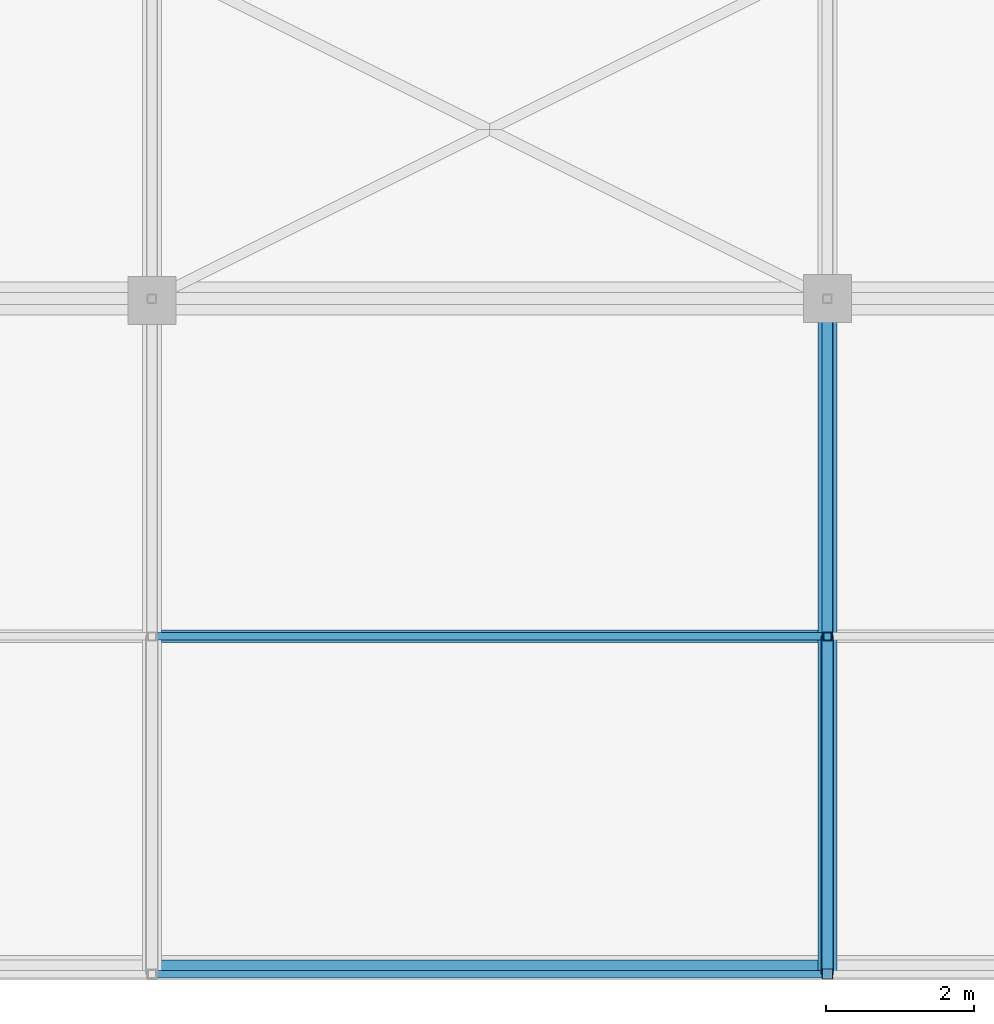
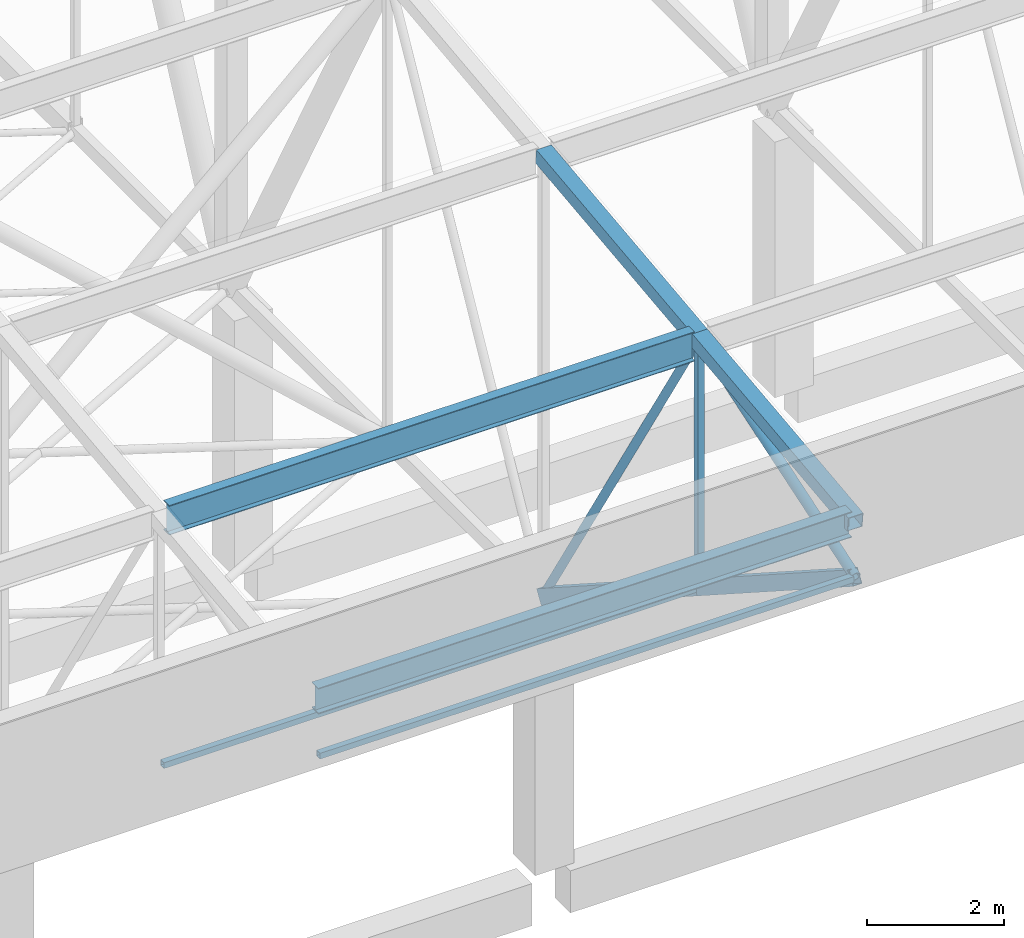
# One storey, part 33 of 500: 11 members.
"""IFC4 building model written with IfcOpenShell, lengths in metres."""

import ifcopenshell
import ifcopenshell.guid

model = None  # the IFC model being written
_history = None  # IfcOwnerHistory: only IFC2X3 demands one
_inside = {}  # id of a spatial element -> (the spatial element, [elements in it])
_under = {}  # id of a project, library or spatial element -> (it, [spatial elements below it])
_declared = {}  # id of a project -> (the project, [libraries it declares])
_typed = {}  # id of a type object -> (the type object, [elements of that type])
_made_of = {}  # id of a material, layer set ... -> (it, [elements and type objects made of it])


def new_model(schema):
    """Start an empty IFC model of exactly this schema.

    Asked for "IFC4X3", IfcOpenShell would pick the latest addendum, in which some entities
    have other attributes; the version numbers below select the first issue.
    IFC2X3 requires an IfcOwnerHistory on every rooted entity: one is made here for all.
    """
    global model, _history
    if schema == "IFC4X3":
        model = ifcopenshell.file(schema_version=(4, 3, 0, 0))
    else:
        model = ifcopenshell.file(schema=schema)
    _inside.clear()
    _under.clear()
    _declared.clear()
    _typed.clear()
    _made_of.clear()
    _history = None
    if model.schema == "IFC2X3":
        org = make("IfcOrganization", Name="unknown")
        user = make(
            "IfcPersonAndOrganization",
            ThePerson=make("IfcPerson", FamilyName="unknown"),
            TheOrganization=org,
        )
        app = make(
            "IfcApplication",
            ApplicationDeveloper=org,
            Version="unknown",
            ApplicationFullName="unknown",
            ApplicationIdentifier="unknown",
        )
        _history = make(
            "IfcOwnerHistory",
            OwningUser=user,
            OwningApplication=app,
            ChangeAction="ADDED",
            CreationDate=0,
        )
    return model


def make(cls, **values):
    """One entity of the class cls with the attributes given. An attribute that is None is left unset."""
    return model.create_entity(
        cls, **{name: value for name, value in values.items() if value is not None}
    )


def rooted(cls, **values):
    """An entity with a GlobalId (a new one), such as an element, a storey or a relation."""
    return make(cls, GlobalId=ifcopenshell.guid.new(), OwnerHistory=_history, **values)


def si_unit(unit_type, name, prefix=None):
    """IfcSIUnit, for example si_unit("LENGTHUNIT", "METRE", prefix="MILLI")."""
    return make("IfcSIUnit", UnitType=unit_type, Prefix=prefix, Name=name)


def assignment(units):
    """IfcUnitAssignment: the units of a project."""
    return None if units is None else make("IfcUnitAssignment", Units=units)


def point(xyz):
    """IfcCartesianPoint."""
    return None if xyz is None else make("IfcCartesianPoint", Coordinates=xyz)


def direction(xyz):
    """IfcDirection."""
    return None if xyz is None else make("IfcDirection", DirectionRatios=xyz)


def frame(location, z_axis=None, x_axis=None):
    """IfcAxis2Placement3D, a coordinate frame: its origin and axes. An axis left out is left unset."""
    return make(
        "IfcAxis2Placement3D",
        Location=point(location),
        Axis=direction(z_axis),
        RefDirection=direction(x_axis),
    )


def frame_2d(location, x_axis=None):
    """IfcAxis2Placement2D, a coordinate frame in the plane: its origin and x axis."""
    return make(
        "IfcAxis2Placement2D", Location=point(location), RefDirection=direction(x_axis)
    )


def origin():
    """The frame at (0, 0, 0) with its axes left unset."""
    return frame((0.0, 0.0, 0.0))


def origin_2d():
    """The frame at (0, 0) in the plane with its x axis left unset."""
    return frame_2d((0.0, 0.0))


def place(relative_to, where):
    """IfcLocalPlacement: puts the frame where relative to a parent placement (None: the world)."""
    return make(
        "IfcLocalPlacement", PlacementRelTo=relative_to, RelativePlacement=where
    )


def context(
    kind, dimensions, precision=None, world=None, true_north=None, identifier=None
):
    """IfcGeometricRepresentationContext, for example the 3D "Model" context."""
    return make(
        "IfcGeometricRepresentationContext",
        ContextIdentifier=identifier,
        ContextType=kind,
        CoordinateSpaceDimension=dimensions,
        Precision=precision,
        WorldCoordinateSystem=world,
        TrueNorth=true_north,
    )


def subcontext(parent, identifier, kind, view, scale=None):
    """IfcGeometricRepresentationSubContext, for example "Body" below "Model"."""
    return make(
        "IfcGeometricRepresentationSubContext",
        ContextIdentifier=identifier,
        ContextType=kind,
        ParentContext=parent,
        TargetScale=scale,
        TargetView=view,
    )


def project(units=None, contexts=None):
    """IfcProject with its units and contexts."""
    return rooted(
        "IfcProject",
        Name="project",
        RepresentationContexts=contexts,
        UnitsInContext=assignment(units),
    )


def spatial(cls, under=None, at=None, **own):
    """A site, building, storey or space (cls), placed at a placement, below another one or the project."""
    s = rooted(cls, ObjectPlacement=at, **own)
    if under is not None:
        _under.setdefault(under.id(), (under, []))[1].append(s)
    return s


def profile(cls, at=None, kind="AREA", **sizes):
    """A parametric profile (cls). Its sizes go by their IFC names, for example OverallWidth=200.0."""
    return make(cls, ProfileType=kind, Position=at, **sizes)


def hollow_rectangle(**sizes):
    """IfcRectangleHollowProfileDef."""
    return profile("IfcRectangleHollowProfileDef", **sizes)


def hollow_circle(**sizes):
    """IfcCircleHollowProfileDef."""
    return profile("IfcCircleHollowProfileDef", **sizes)


def i_section(**sizes):
    """IfcIShapeProfileDef."""
    return profile("IfcIShapeProfileDef", **sizes)


def extrude(swept, where, along, depth):
    """IfcExtrudedAreaSolid: the profile swept, set in the frame where, extruded along a direction by depth."""
    return make(
        "IfcExtrudedAreaSolid",
        SweptArea=swept,
        Position=where,
        ExtrudedDirection=direction(along),
        Depth=depth,
    )


def shape(context_of_items, identifier, shape_type, items):
    """IfcShapeRepresentation: the items that make up one representation, for example the "Body"."""
    return make(
        "IfcShapeRepresentation",
        ContextOfItems=context_of_items,
        RepresentationIdentifier=identifier,
        RepresentationType=shape_type,
        Items=items,
    )


def material(Name=None, Category=None):
    """IfcMaterial."""
    return make("IfcMaterial", Name=Name, Category=Category)


def material_profile(
    of_material, cross_section, Name=None, Category=None, Priority=None
):
    """IfcMaterialProfile: a cross section and its material."""
    return make(
        "IfcMaterialProfile",
        Name=Name,
        Material=of_material,
        Profile=cross_section,
        Priority=Priority,
        Category=Category,
    )


def profile_set(profiles, Name=None, composite=None):
    """IfcMaterialProfileSet."""
    return make(
        "IfcMaterialProfileSet",
        Name=Name,
        MaterialProfiles=profiles,
        CompositeProfile=composite,
    )


def made_of(thing, what):
    """Note that an element or type object is made of a material, layer set ...; save() writes the relation."""
    if what is not None:
        _made_of.setdefault(what.id(), (what, []))[1].append(thing)
    return thing


def type_object(cls, material=None, **own):
    """A type object (cls), such as IfcWallType, which elements share."""
    return made_of(rooted(cls, **own), material)


def element(
    cls,
    number,
    at=None,
    inside=None,
    cuts=None,
    type_object=None,
    material=None,
    context=None,
    identifier="Body",
    shape_type=None,
    held_by="IfcProductDefinitionShape",
    body=None,
    shapes=None,
    **own,
):
    """One element of the class cls, such as IfcWall. Its Tag is "e" and its number.

    at: its placement. inside: the storey or other place that contains it. cuts: it is an
    opening in that element (IfcRelVoidsElement). A single representation is given by context,
    identifier, shape_type and body (its items); several are given by shapes. held_by: the class
    of the entity that holds the representations. save() writes the other relations.
    """
    e = rooted(cls, Tag="e%d" % number, ObjectPlacement=at, **own)
    if body is not None:
        shapes = [shape(context, identifier, shape_type, body)]
    if shapes is not None:
        e.Representation = make(held_by, Representations=shapes)
    if inside is not None:
        _inside.setdefault(inside.id(), (inside, []))[1].append(e)
    if cuts is not None:
        rooted(
            "IfcRelVoidsElement", RelatingBuildingElement=cuts, RelatedOpeningElement=e
        )
    if type_object is not None:
        _typed.setdefault(type_object.id(), (type_object, []))[1].append(e)
    return made_of(e, material)


def aggregate(whole, parts):
    """IfcRelAggregates: a whole, such as a stair, and the parts it consists of."""
    return rooted("IfcRelAggregates", RelatingObject=whole, RelatedObjects=parts)


def save(model, path):
    """Write the relations noted so far, then the file.

    IfcRelAggregates (storeys below a building ...), IfcRelContainedInSpatialStructure (elements
    in a storey), IfcRelDefinesByType, IfcRelAssociatesMaterial and IfcRelDeclares: one each for
    every whole, place, type object, material and project.
    """
    for whole, parts in _under.values():
        aggregate(whole, parts)
    for where, things in _inside.values():
        rooted(
            "IfcRelContainedInSpatialStructure",
            RelatedElements=things,
            RelatingStructure=where,
        )
    for kind, things in _typed.values():
        rooted("IfcRelDefinesByType", RelatedObjects=things, RelatingType=kind)
    for what, things in _made_of.values():
        rooted("IfcRelAssociatesMaterial", RelatedObjects=things, RelatingMaterial=what)
    for by, libraries in _declared.values():
        rooted("IfcRelDeclares", RelatingContext=by, RelatedDefinitions=libraries)
    model.write(path)


model = new_model("IFC4")

# Units and contexts
model_context = context("Model", 3, precision=1e-05, world=origin(), true_north=direction((0.0, 1.0)))
body_context = subcontext(model_context, "Body", "Model", "MODEL_VIEW")
ifc_project = project(units=[si_unit("LENGTHUNIT", "METRE"), si_unit("AREAUNIT", "SQUARE_METRE"), si_unit("VOLUMEUNIT", "CUBIC_METRE"), si_unit("PLANEANGLEUNIT", "RADIAN"), si_unit("MASSUNIT", "GRAM", prefix="KILO")], contexts=[model_context])

# Site, building, storey
site_placement = place(None, origin())
site = spatial("IfcSite", under=ifc_project, at=site_placement, CompositionType="ELEMENT")
building_placement = place(site_placement, origin())
building = spatial("IfcBuilding", under=site, at=building_placement, Name="Shirokan Park Arena", CompositionType="ELEMENT")
storey_placement = place(building_placement, frame((0.0, 0.0, 29.1201171875)))
storey = spatial("IfcBuildingStorey", under=building, at=storey_placement, Name="L06", CompositionType="ELEMENT", Elevation=29.1201171875)

# Members
ifc_material_1 = material(Name="Steel ASTM A500 Grade C", Category="steel")
ifc_material_profile_1 = material_profile(ifc_material_1, hollow_rectangle(XDim=0.152099609375, YDim=0.25390625, WallThickness=0.009521484375, at=origin_2d()), Name="HSS254X152.4X9.5")
ifc_profile_set_1 = profile_set([ifc_material_profile_1], Name="Steel ASTM A500 Grade C")
member_type_1 = type_object("IfcMemberType", Name="Bottom chord HSS254X152.4X9.5", PredefinedType="CHORD", material=ifc_profile_set_1)
for number, where, z_axis, x_axis, name in (
    (1, (54.60009765625, -9.10009765625, 10.531982421875), (0.0, 0.840971691661, -0.541079119746), (-1.0, 0.0, 0.0), "Truss T07 bottom chord 1"),
    (2, (54.60009765625, -4.550048828125, 7.6044921875), (0.0, 0.840971691661, -0.541079119746), (-1.0, 0.0, 0.0), "Truss T07 bottom chord 2"),
):
    element("IfcMember", number, at=place(storey_placement, frame(where, z_axis=z_axis, x_axis=x_axis)), inside=storey, type_object=member_type_1, Name=name, PredefinedType="CHORD", context=body_context, shape_type="SweptSolid", body=[
        extrude(hollow_rectangle(XDim=0.152099609375, YDim=0.25390625, WallThickness=0.009521484375, at=origin_2d()), origin(), (0.0, 0.0, 1.0), 5.410400390625),
    ])
ifc_material_profile_2 = material_profile(ifc_material_1, hollow_rectangle(XDim=0.10205078125, YDim=0.10205078125, WallThickness=0.00634765625, at=origin_2d()), Name="HSS101.6X101.6X6.4")
ifc_profile_set_2 = profile_set([ifc_material_profile_2], Name="Steel ASTM A500 Grade C")
member_type_2 = type_object("IfcMemberType", Name="Eave soffit rail HSS101.6X101.6X6.4", PredefinedType="USERDEFINED", material=ifc_profile_set_2)
for number, where, z_axis, x_axis, name in (
    (3, (45.556884765625, -9.10009765625, 10.531982421875), (1.0, 0.0, 0.0), (0.0, 1.0, 0.0), "Eave soffit rail S 1 bay 6"),
    (4, (45.556884765625, -4.550048828125, 7.6044921875), (1.0, 0.0, 0.0), (0.0, 1.0, 0.0), "Eave soffit rail S 2 bay 6"),
):
    element("IfcMember", number, at=place(storey_placement, frame(where, z_axis=z_axis, x_axis=x_axis)), inside=storey, type_object=member_type_2, Name=name, ObjectType="EAVE SOFFIT RAIL", PredefinedType="USERDEFINED", context=body_context, shape_type="SweptSolid", body=[
        extrude(hollow_rectangle(XDim=0.10205078125, YDim=0.10205078125, WallThickness=0.00634765625, at=origin_2d()), origin(), (0.0, 0.0, 1.0), 8.986083984375),
    ])
ifc_material_2 = material(Name="Steel ASTM A992", Category="steel")
ifc_material_profile_3 = material_profile(ifc_material_2, i_section(OverallWidth=0.166015625, OverallDepth=0.528076171875, WebThickness=0.009765625, FlangeThickness=0.013671875, at=origin_2d()), Name="W530X74")
ifc_profile_set_3 = profile_set([ifc_material_profile_3], Name="Steel ASTM A992")
member_type_3 = type_object("IfcMemberType", Name="Purlin W530X74", PredefinedType="PURLIN", material=ifc_profile_set_3)
member_1_placement = place(storey_placement, frame((45.626953125, -4.550048828125, 11.9658203125), z_axis=(1.0, 0.0, 0.0), x_axis=(0.0, 1.0, 0.0)))
element("IfcMember", 5, at=member_1_placement, inside=storey, type_object=member_type_3, Name="Purlin 2 bay 6", PredefinedType="PURLIN", context=body_context, shape_type="SweptSolid", body=[
    extrude(i_section(OverallWidth=0.166015625, OverallDepth=0.528076171875, WebThickness=0.009765625, FlangeThickness=0.013671875, at=origin_2d()), origin(), (0.0, 0.0, 1.0), 8.845947265625),
])
ifc_material_profile_4 = material_profile(ifc_material_2, i_section(OverallWidth=0.19091796875, OverallDepth=0.45703125, WebThickness=0.009033203125, FlangeThickness=0.014404296875, at=origin_2d()), Name="W460X74")
ifc_profile_set_4 = profile_set([ifc_material_profile_4], Name="Steel ASTM A992")
member_type_4 = type_object("IfcMemberType", Name="Roof edge beam W460X74", PredefinedType="USERDEFINED", material=ifc_profile_set_4)
member_2_placement = place(storey_placement, frame((45.556884765625, -9.00439453125, 11.4814453125), z_axis=(1.0, 0.0, 0.0), x_axis=(0.0, 1.0, 0.0)))
element("IfcMember", 6, at=member_2_placement, inside=storey, type_object=member_type_4, Name="Roof edge beam S 7", ObjectType="ROOF EDGE BEAM", PredefinedType="USERDEFINED", context=body_context, shape_type="SweptSolid", body=[
    extrude(i_section(OverallWidth=0.19091796875, OverallDepth=0.45703125, WebThickness=0.009033203125, FlangeThickness=0.014404296875, at=origin_2d()), origin(), (0.0, 0.0, 1.0), 8.986083984375),
])
ifc_material_profile_5 = material_profile(ifc_material_1, hollow_rectangle(XDim=0.25390625, YDim=0.25390625, WallThickness=0.009521484375, at=origin_2d()), Name="HSS254X254X9.5")
ifc_profile_set_5 = profile_set([ifc_material_profile_5], Name="Steel ASTM A500 Grade C")
member_type_5 = type_object("IfcMemberType", Name="Top chord HSS254X254X9.5", PredefinedType="CHORD", material=ifc_profile_set_5)
for number, where, z_axis, x_axis, name in (
    (7, (54.60009765625, -9.10009765625, 11.50146484375), (0.0, 0.993532328996, 0.113549598152), (-1.0, 0.0, 0.0), "Truss T07 top chord 1"),
    (8, (54.60009765625, -4.550048828125, 12.021484375), (0.0, 0.993532328996, 0.113549598152), (-1.0, 0.0, 0.0), "Truss T07 top chord 2"),
):
    element("IfcMember", number, at=place(storey_placement, frame(where, z_axis=z_axis, x_axis=x_axis)), inside=storey, type_object=member_type_5, Name=name, PredefinedType="CHORD", context=body_context, shape_type="SweptSolid", body=[
        extrude(hollow_rectangle(XDim=0.25390625, YDim=0.25390625, WallThickness=0.009521484375, at=origin_2d()), origin(), (0.0, 0.0, 1.0), 4.57958984375),
    ])
ifc_material_profile_6 = material_profile(ifc_material_1, hollow_circle(Radius=0.070556640625, WallThickness=0.006591796875, at=origin_2d()), Name="HSS141.3X6.6")
ifc_profile_set_6 = profile_set([ifc_material_profile_6], Name="Steel ASTM A500 Grade C")
member_type_6 = type_object("IfcMemberType", Name="Truss diagonal HSS141.3X6.6", PredefinedType="BRACE", material=ifc_profile_set_6)
member_3_placement = place(storey_placement, frame((54.60009765625, -4.550048828125, 12.021484375), z_axis=(0.0, 0.526644483383, -0.850085635758), x_axis=(-1.0, 0.0, 0.0)))
element("IfcMember", 9, at=member_3_placement, inside=storey, type_object=member_type_6, Name="Truss T07 diagonal 2", PredefinedType="BRACE", context=body_context, shape_type="SweptSolid", body=[
    extrude(hollow_circle(Radius=0.070556640625, WallThickness=0.006591796875, at=origin_2d()), origin(), (0.0, 0.0, 1.0), 8.6396484375),
])
ifc_material_profile_7 = material_profile(ifc_material_1, hollow_circle(Radius=0.083984375, WallThickness=0.009521484375, at=origin_2d()), Name="HSS168.3X9.5")
ifc_profile_set_7 = profile_set([ifc_material_profile_7], Name="Steel ASTM A500 Grade C")
member_type_7 = type_object("IfcMemberType", Name="Truss diagonal HSS168.3X9.5", PredefinedType="BRACE", material=ifc_profile_set_7)
member_4_placement = place(storey_placement, frame((54.60009765625, -9.10009765625, 10.531982421875), z_axis=(0.0, 0.950372733116, 0.311113593644), x_axis=(-1.0, 0.0, 0.0)))
element("IfcMember", 10, at=member_4_placement, inside=storey, type_object=member_type_7, Name="Truss T07 diagonal 1", PredefinedType="BRACE", context=body_context, shape_type="SweptSolid", body=[
    extrude(hollow_circle(Radius=0.083984375, WallThickness=0.009521484375, at=origin_2d()), origin(), (0.0, 0.0, 1.0), 4.78759765625),
])
ifc_material_profile_8 = material_profile(ifc_material_1, hollow_rectangle(XDim=0.114013671875, YDim=0.114013671875, WallThickness=0.00634765625, at=origin_2d()), Name="HSS114.3X114.3X6.4")
ifc_profile_set_8 = profile_set([ifc_material_profile_8], Name="Steel ASTM A500 Grade C")
member_type_8 = type_object("IfcMemberType", Name="Truss post HSS114.3X114.3X6.4", PredefinedType="POST", material=ifc_profile_set_8)
member_5_placement = place(storey_placement, frame((54.60009765625, -4.550048828125, 7.6044921875), z_axis=(0.0, 0.0, 1.0), x_axis=(1.0, 0.0, 0.0)))
element("IfcMember", 11, at=member_5_placement, inside=storey, type_object=member_type_8, Name="Truss T07 post 2", PredefinedType="POST", context=body_context, shape_type="SweptSolid", body=[
    extrude(hollow_rectangle(XDim=0.114013671875, YDim=0.114013671875, WallThickness=0.00634765625, at=origin_2d()), origin(), (0.0, 0.0, 1.0), 4.4169921875),
])

save(model, "model.ifc")
